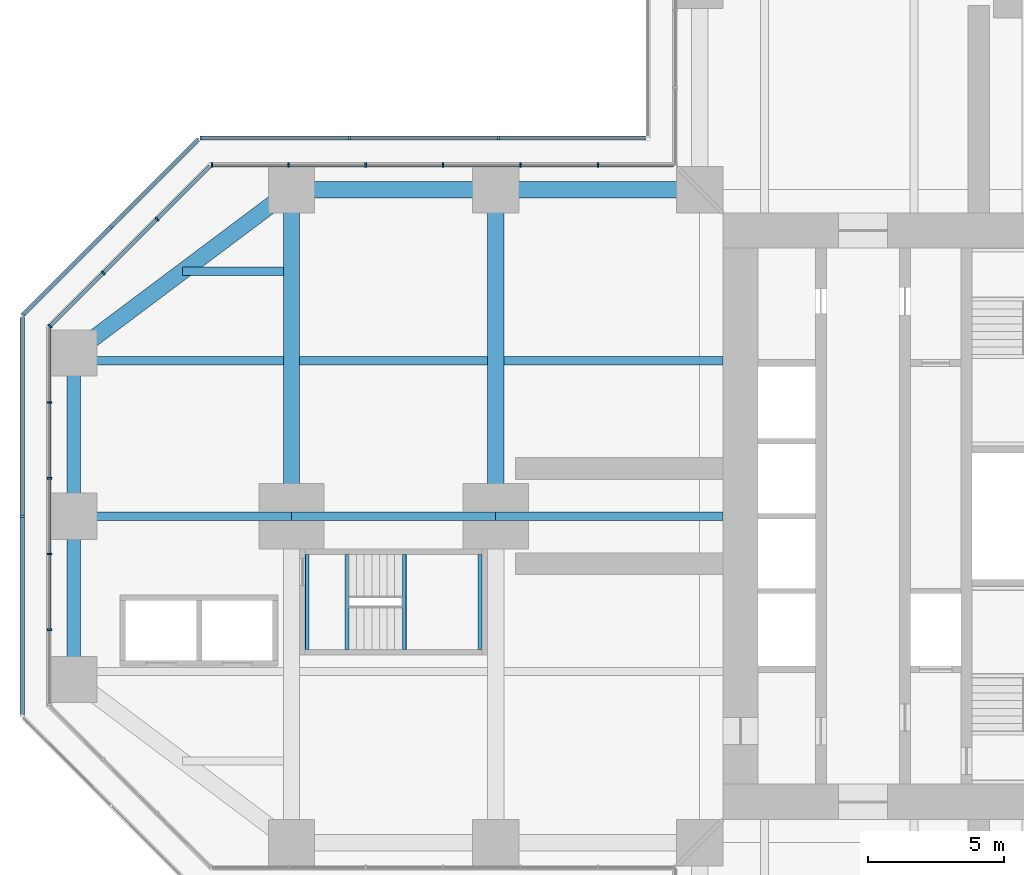
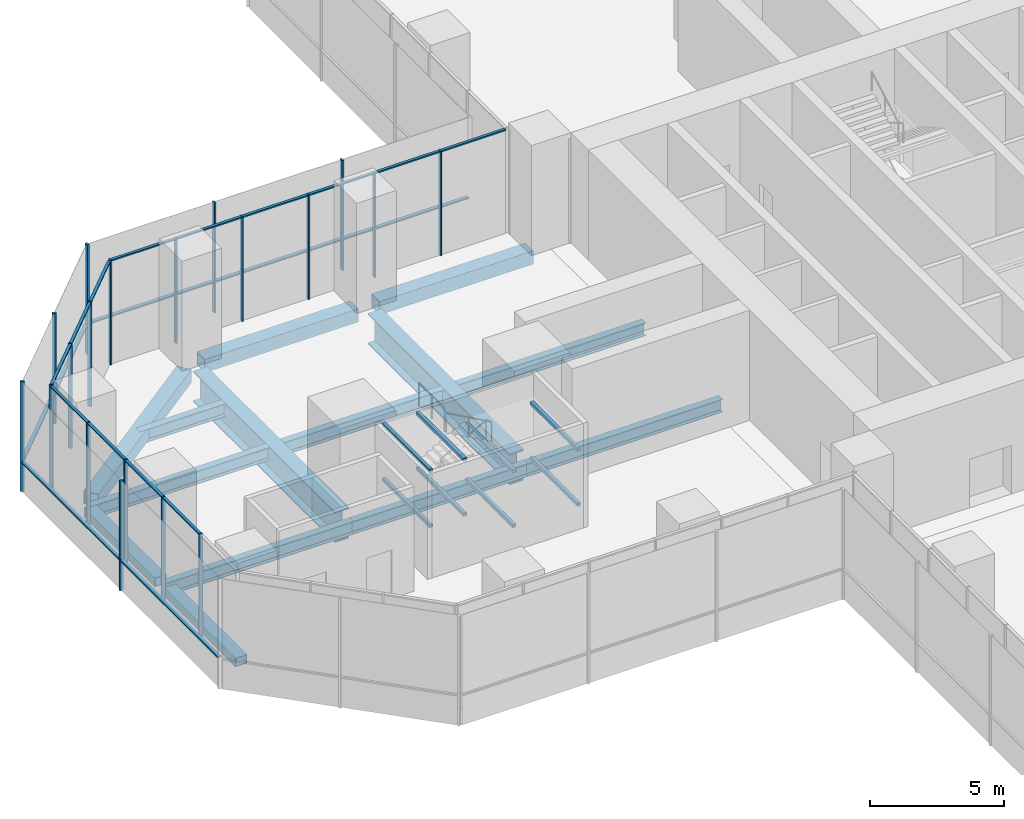
# One storey, part 7 of 23: 39 members, 22 beams, 6 elements without a shape of their own.
"""IFC4 building model written with IfcOpenShell, lengths in metres."""

from ifc_helpers import new_model, si_unit, direction, frame, origin, origin_2d, place, context, subcontext, project, spatial, rectangle, hollow_rectangle, i_section, extrude, material, material_profile, profile_set, type_object, element, aggregate, save


model = new_model("IFC4")

# Units and contexts
model_context = context("Model", 3, precision=1e-05, world=origin(), true_north=direction((0.0, 1.0)))
body_context = subcontext(model_context, "Body", "Model", "MODEL_VIEW")
ifc_project = project(units=[si_unit("LENGTHUNIT", "METRE"), si_unit("AREAUNIT", "SQUARE_METRE"), si_unit("VOLUMEUNIT", "CUBIC_METRE"), si_unit("PLANEANGLEUNIT", "RADIAN"), si_unit("MASSUNIT", "GRAM", prefix="KILO")], contexts=[model_context])

# Site, building, storey
site_placement = place(None, origin())
site = spatial("IfcSite", under=ifc_project, at=site_placement, CompositionType="ELEMENT")
building_placement = place(site_placement, origin())
building = spatial("IfcBuilding", under=site, at=building_placement, Name="Mizan Broadcast Tower", CompositionType="ELEMENT")
storey_placement = place(building_placement, frame((0.0, 0.0, 28.0)))
storey = spatial("IfcBuildingStorey", under=building, at=storey_placement, Name="L04", CompositionType="ELEMENT", Elevation=28.0)

# Beams
ifc_material_1 = material(Name="Steel S355", Category="steel")
ifc_material_profile_1 = material_profile(ifc_material_1, hollow_rectangle(XDim=0.5, YDim=0.39990234375, WallThickness=0.02490234375, at=origin_2d()), Name="BOX 400x500x25")
ifc_profile_set_1 = profile_set([ifc_material_profile_1], Name="Steel S355")
beam_type_1 = type_object("IfcBeamType", Name="EDGE BEAM BOX 400x500x25", PredefinedType="SPANDREL", material=ifc_profile_set_1)
for number, where, z_axis, x_axis, name in (
    (1, (-35.0, 5.639892578125, -0.449951171875), (0.0, -1.0, 0.0), (1.0, 0.0, 0.0), "Edge beam BOX 400x500x25 L04 west arm"),
    (2, (-35.0, -5.639892578125, -0.449951171875), (0.0, 1.0, 0.0), (-1.0, 0.0, 0.0), "Edge beam BOX 400x500x25 L04 west arm"),
):
    element("IfcBeam", number, at=place(storey_placement, frame(where, z_axis=z_axis, x_axis=x_axis)), inside=storey, type_object=beam_type_1, Name=name, PredefinedType="SPANDREL", context=body_context, shape_type="SweptSolid", body=[
        extrude(hollow_rectangle(XDim=0.5, YDim=0.39990234375, WallThickness=0.02490234375, at=origin_2d()), origin(), (0.0, 0.0, 1.0), 5.27978515625),
    ])
ifc_material_2 = material(Name="Steel S355", Category="steel")
ifc_material_profile_2 = material_profile(ifc_material_2, hollow_rectangle(XDim=0.60009765625, YDim=0.60009765625, WallThickness=0.030029296875, at=origin_2d()), Name="BOX 600x600x30")
ifc_profile_set_2 = profile_set([ifc_material_profile_2], Name="Steel S355")
beam_type_2 = type_object("IfcBeamType", Name="EDGE BEAM BOX 600x600x30", PredefinedType="SPANDREL", material=ifc_profile_set_2)
beam_1_placement = place(storey_placement, frame((-27.47998046875, 11.639892578125, -0.550048828125), z_axis=(-0.800013316712, -0.599982243973, 0.0), x_axis=(0.599982243973, -0.800013316712, 0.0)))
element("IfcBeam", 3, at=beam_1_placement, inside=storey, type_object=beam_type_2, Name="Edge beam BOX 600x600x30 L04 west arm", PredefinedType="SPANDREL", context=body_context, shape_type="SweptSolid", body=[
    extrude(hollow_rectangle(XDim=0.60009765625, YDim=0.60009765625, WallThickness=0.030029296875, at=origin_2d()), origin(), (0.0, 0.0, 1.0), 8.7998046875),
])
ifc_material_3 = material(Name="Steel S355", Category="steel")
ifc_material_profile_3 = material_profile(ifc_material_3, hollow_rectangle(XDim=0.60009765625, YDim=0.60009765625, WallThickness=0.0400390625, at=origin_2d()), Name="BOX 600x600x40")
ifc_profile_set_3 = profile_set([ifc_material_profile_3], Name="Steel S355")
beam_type_3 = type_object("IfcBeamType", Name="EDGE BEAM BOX 600x600x40", PredefinedType="SPANDREL", material=ifc_profile_set_3)
for number, where, z_axis, x_axis, name in (
    (4, (-12.449951171875, 12.0, -0.550048828125), (-1.0, 0.0, 0.0), (0.0, -1.0, 0.0), "Edge beam BOX 600x600x40 L04 west arm"),
    (5, (-19.949951171875, 12.0, -0.550048828125), (-1.0, 0.0, 0.0), (0.0, -1.0, 0.0), "Edge beam BOX 600x600x40 L04 west arm"),
):
    element("IfcBeam", number, at=place(storey_placement, frame(where, z_axis=z_axis, x_axis=x_axis)), inside=storey, type_object=beam_type_3, Name=name, PredefinedType="SPANDREL", context=body_context, shape_type="SweptSolid", body=[
        extrude(hollow_rectangle(XDim=0.60009765625, YDim=0.60009765625, WallThickness=0.0400390625, at=origin_2d()), origin(), (0.0, 0.0, 1.0), 6.60009765625),
    ])
ifc_material_4 = material(Name="Steel S460", Category="steel")
ifc_material_profile_4 = material_profile(ifc_material_4, i_section(OverallWidth=0.60009765625, OverallDepth=1.39990234375, WebThickness=0.02490234375, FlangeThickness=0.06005859375, at=origin_2d()), Name="WPG 1400x600")
ifc_profile_set_4 = profile_set([ifc_material_profile_4], Name="Steel S460")
beam_type_4 = type_object("IfcBeamType", Name="GIRDER WPG 1400x600", PredefinedType="BEAM", material=ifc_profile_set_4)
for number, where, z_axis, x_axis, name in (
    (6, (-19.5, 11.280029296875, -0.949951171875), (0.0, -1.0, 0.0), (1.0, 0.0, 0.0), "Girder WPG 1400x600 L04 west arm"),
    (7, (-27.0, 11.280029296875, -0.949951171875), (0.0, -1.0, 0.0), (1.0, 0.0, 0.0), "Girder WPG 1400x600 L04 west arm"),
):
    element("IfcBeam", number, at=place(storey_placement, frame(where, z_axis=z_axis, x_axis=x_axis)), inside=storey, type_object=beam_type_4, Name=name, PredefinedType="BEAM", context=body_context, shape_type="SweptSolid", body=[
        extrude(i_section(OverallWidth=0.60009765625, OverallDepth=1.39990234375, WebThickness=0.02490234375, FlangeThickness=0.06005859375, at=origin_2d()), origin(), (0.0, 0.0, 1.0), 10.56005859375),
    ])

# Curtain wall, members
ifc_material_5 = material(Name="Aluminium framed glazing", Category="aluminium")
curtain_wall_type_1 = type_object("IfcCurtainWallType", Name="PODIUM CURTAIN WALL", PredefinedType="USERDEFINED", material=ifc_material_5)
curtain_wall_1_placement = place(storey_placement, origin())
curtain_wall_1 = element("IfcCurtainWall", 8, at=curtain_wall_1_placement, inside=storey, type_object=curtain_wall_type_1, Name="Podium curtain wall L04 W side", ObjectType="PODIUM CURTAIN WALL", PredefinedType="USERDEFINED")
ifc_material_6 = material(Name="Aluminium, pale anodised", Category="aluminium")
ifc_material_profile_5 = material_profile(ifc_material_6, rectangle(XDim=0.159912109375, YDim=0.06005859375, at=origin_2d()), Name="MULLION 160x60")
ifc_profile_set_5 = profile_set([ifc_material_profile_5], Name="Aluminium, pale anodised")
member_type_1 = type_object("IfcMemberType", Name="INNER SKIN MULLION 60x160", PredefinedType="MULLION", material=ifc_profile_set_5)
member_1_placement = place(storey_placement, frame((-15.7431640625, 12.89990234375, 0.0), z_axis=(0.0, 0.0, 1.0), x_axis=(0.0, -1.0, 0.0)))
member_1 = element("IfcMember", 9, at=member_1_placement, type_object=member_type_1, Name="Podium curtain wall L04 W side mullion 2", PredefinedType="MULLION", context=body_context, shape_type="SweptSolid", body=[
    extrude(rectangle(XDim=0.159912109375, YDim=0.06005859375, at=origin_2d()), origin(), (0.0, 0.0, 1.0), 4.75),
])
member_2_placement = place(storey_placement, frame((-18.586181640625, 12.89990234375, 0.0), z_axis=(0.0, 0.0, 1.0), x_axis=(0.0, -1.0, 0.0)))
member_2 = element("IfcMember", 10, at=member_2_placement, type_object=member_type_1, Name="Podium curtain wall L04 W side mullion 3", PredefinedType="MULLION", context=body_context, shape_type="SweptSolid", body=[
    extrude(rectangle(XDim=0.159912109375, YDim=0.06005859375, at=origin_2d()), origin(), (0.0, 0.0, 1.0), 4.75),
])
member_3_placement = place(storey_placement, frame((-21.42919921875, 12.89990234375, 0.0), z_axis=(0.0, 0.0, 1.0), x_axis=(0.0, -1.0, 0.0)))
member_3 = element("IfcMember", 11, at=member_3_placement, type_object=member_type_1, Name="Podium curtain wall L04 W side mullion 4", PredefinedType="MULLION", context=body_context, shape_type="SweptSolid", body=[
    extrude(rectangle(XDim=0.159912109375, YDim=0.06005859375, at=origin_2d()), origin(), (0.0, 0.0, 1.0), 4.75),
])
member_4_placement = place(storey_placement, frame((-24.2724609375, 12.89990234375, 0.0), z_axis=(0.0, 0.0, 1.0), x_axis=(0.0, -1.0, 0.0)))
member_4 = element("IfcMember", 12, at=member_4_placement, type_object=member_type_1, Name="Podium curtain wall L04 W side mullion 5", PredefinedType="MULLION", context=body_context, shape_type="SweptSolid", body=[
    extrude(rectangle(XDim=0.159912109375, YDim=0.06005859375, at=origin_2d()), origin(), (0.0, 0.0, 1.0), 4.75),
])
member_5_placement = place(storey_placement, frame((-27.115478515625, 12.89990234375, 0.0), z_axis=(0.0, 0.0, 1.0), x_axis=(0.0, -1.0, 0.0)))
member_5 = element("IfcMember", 13, at=member_5_placement, type_object=member_type_1, Name="Podium curtain wall L04 W side mullion 6", PredefinedType="MULLION", context=body_context, shape_type="SweptSolid", body=[
    extrude(rectangle(XDim=0.159912109375, YDim=0.06005859375, at=origin_2d()), origin(), (0.0, 0.0, 1.0), 4.75),
])
member_6_placement = place(storey_placement, frame((-29.928466796875, 12.89990234375, 0.0), z_axis=(0.0, 0.0, 1.0), x_axis=(0.0, -1.0, 0.0)))
member_6 = element("IfcMember", 14, at=member_6_placement, type_object=member_type_1, Name="Podium curtain wall L04 W side mullion 7", PredefinedType="MULLION", context=body_context, shape_type="SweptSolid", body=[
    extrude(rectangle(XDim=0.159912109375, YDim=0.06005859375, at=origin_2d()), origin(), (0.0, 0.0, 1.0), 4.75),
])

curtain_wall_2_placement = place(storey_placement, origin())
curtain_wall_2 = element("IfcCurtainWall", 15, at=curtain_wall_2_placement, inside=storey, type_object=curtain_wall_type_1, Name="Podium curtain wall L04 W chamfer", ObjectType="PODIUM CURTAIN WALL", PredefinedType="USERDEFINED")
member_7_placement = place(storey_placement, frame((-31.93896484375, 10.91943359375, 0.0), z_axis=(0.0, 0.0, 1.0), x_axis=(0.707106781187, -0.707106781187, 0.0)))
member_7 = element("IfcMember", 16, at=member_7_placement, type_object=member_type_1, Name="Podium curtain wall L04 W chamfer mullion 2", PredefinedType="MULLION", context=body_context, shape_type="SweptSolid", body=[
    extrude(rectangle(XDim=0.159912109375, YDim=0.06005859375, at=origin_2d()), origin(), (0.0, 0.0, 1.0), 4.75),
])
member_8_placement = place(storey_placement, frame((-33.91943359375, 8.93896484375, 0.0), z_axis=(0.0, 0.0, 1.0), x_axis=(0.707106781187, -0.707106781187, 0.0)))
member_8 = element("IfcMember", 17, at=member_8_placement, type_object=member_type_1, Name="Podium curtain wall L04 W chamfer mullion 3", PredefinedType="MULLION", context=body_context, shape_type="SweptSolid", body=[
    extrude(rectangle(XDim=0.159912109375, YDim=0.06005859375, at=origin_2d()), origin(), (0.0, 0.0, 1.0), 4.75),
])
member_9_placement = place(storey_placement, frame((-35.87890625, 6.979736328125, 0.0), z_axis=(0.0, 0.0, 1.0), x_axis=(0.707106781187, -0.707106781187, 0.0)))
member_9 = element("IfcMember", 18, at=member_9_placement, type_object=member_type_1, Name="Podium curtain wall L04 W chamfer mullion 4", PredefinedType="MULLION", context=body_context, shape_type="SweptSolid", body=[
    extrude(rectangle(XDim=0.159912109375, YDim=0.06005859375, at=origin_2d()), origin(), (0.0, 0.0, 1.0), 4.75),
])

curtain_wall_3_placement = place(storey_placement, origin())
curtain_wall_3 = element("IfcCurtainWall", 19, at=curtain_wall_3_placement, inside=storey, type_object=curtain_wall_type_1, Name="Podium curtain wall L04 W end", ObjectType="PODIUM CURTAIN WALL", PredefinedType="USERDEFINED")
member_10_placement = place(storey_placement, frame((-35.89990234375, 4.175048828125, 0.0), z_axis=(0.0, 0.0, 1.0), x_axis=(1.0, 0.0, 0.0)))
member_10 = element("IfcMember", 20, at=member_10_placement, type_object=member_type_1, Name="Podium curtain wall L04 W end mullion 2", PredefinedType="MULLION", context=body_context, shape_type="SweptSolid", body=[
    extrude(rectangle(XDim=0.159912109375, YDim=0.06005859375, at=origin_2d()), origin(), (0.0, 0.0, 1.0), 4.75),
])
member_11_placement = place(storey_placement, frame((-35.89990234375, 1.3916015625, 0.0), z_axis=(0.0, 0.0, 1.0), x_axis=(1.0, 0.0, 0.0)))
member_11 = element("IfcMember", 21, at=member_11_placement, type_object=member_type_1, Name="Podium curtain wall L04 W end mullion 3", PredefinedType="MULLION", context=body_context, shape_type="SweptSolid", body=[
    extrude(rectangle(XDim=0.159912109375, YDim=0.06005859375, at=origin_2d()), origin(), (0.0, 0.0, 1.0), 4.75),
])
member_12_placement = place(storey_placement, frame((-35.89990234375, -1.3916015625, 0.0), z_axis=(0.0, 0.0, 1.0), x_axis=(1.0, 0.0, 0.0)))
member_12 = element("IfcMember", 22, at=member_12_placement, type_object=member_type_1, Name="Podium curtain wall L04 W end mullion 4", PredefinedType="MULLION", context=body_context, shape_type="SweptSolid", body=[
    extrude(rectangle(XDim=0.159912109375, YDim=0.06005859375, at=origin_2d()), origin(), (0.0, 0.0, 1.0), 4.75),
])
member_13_placement = place(storey_placement, frame((-35.89990234375, -4.175048828125, 0.0), z_axis=(0.0, 0.0, 1.0), x_axis=(1.0, 0.0, 0.0)))
member_13 = element("IfcMember", 23, at=member_13_placement, type_object=member_type_1, Name="Podium curtain wall L04 W end mullion 5", PredefinedType="MULLION", context=body_context, shape_type="SweptSolid", body=[
    extrude(rectangle(XDim=0.159912109375, YDim=0.06005859375, at=origin_2d()), origin(), (0.0, 0.0, 1.0), 4.75),
])

# Member
ifc_material_7 = material(Name="Aluminium, pale anodised", Category="aluminium")
ifc_material_profile_6 = material_profile(ifc_material_7, rectangle(XDim=0.1201171875, YDim=0.06005859375, at=origin_2d()), Name="TRANSOM 120x60")
ifc_profile_set_6 = profile_set([ifc_material_profile_6], Name="Aluminium, pale anodised")
member_type_2 = type_object("IfcMemberType", Name="INNER SKIN TRANSOM 60x120", PredefinedType="USERDEFINED", material=ifc_profile_set_6)
member_14_placement = place(storey_placement, frame((-12.9599609375, 12.89990234375, 4.719970703125), z_axis=(-1.0, 0.0, 0.0), x_axis=(0.0, -1.0, 0.0)))
member_14 = element("IfcMember", 24, at=member_14_placement, type_object=member_type_2, Name="Podium curtain wall L04 W side transom 1.1", ObjectType="TRANSOM", PredefinedType="USERDEFINED", context=body_context, shape_type="SweptSolid", body=[
    extrude(rectangle(XDim=0.1201171875, YDim=0.06005859375, at=origin_2d()), origin(), (0.0, 0.0, 1.0), 2.753173828125),
])

member_15_placement = place(storey_placement, frame((-15.773193359375, 12.89990234375, 4.719970703125), z_axis=(-1.0, 0.0, 0.0), x_axis=(0.0, -1.0, 0.0)))
member_15 = element("IfcMember", 25, at=member_15_placement, type_object=member_type_2, Name="Podium curtain wall L04 W side transom 2.1", ObjectType="TRANSOM", PredefinedType="USERDEFINED", context=body_context, shape_type="SweptSolid", body=[
    extrude(rectangle(XDim=0.1201171875, YDim=0.06005859375, at=origin_2d()), origin(), (0.0, 0.0, 1.0), 2.782958984375),
])

member_16_placement = place(storey_placement, frame((-18.6162109375, 12.89990234375, 4.719970703125), z_axis=(-1.0, 0.0, 0.0), x_axis=(0.0, -1.0, 0.0)))
member_16 = element("IfcMember", 26, at=member_16_placement, type_object=member_type_2, Name="Podium curtain wall L04 W side transom 3.1", ObjectType="TRANSOM", PredefinedType="USERDEFINED", context=body_context, shape_type="SweptSolid", body=[
    extrude(rectangle(XDim=0.1201171875, YDim=0.06005859375, at=origin_2d()), origin(), (0.0, 0.0, 1.0), 2.782958984375),
])

member_17_placement = place(storey_placement, frame((-21.459228515625, 12.89990234375, 4.719970703125), z_axis=(-1.0, 0.0, 0.0), x_axis=(0.0, -1.0, 0.0)))
member_17 = element("IfcMember", 27, at=member_17_placement, type_object=member_type_2, Name="Podium curtain wall L04 W side transom 4.1", ObjectType="TRANSOM", PredefinedType="USERDEFINED", context=body_context, shape_type="SweptSolid", body=[
    extrude(rectangle(XDim=0.1201171875, YDim=0.06005859375, at=origin_2d()), origin(), (0.0, 0.0, 1.0), 2.783203125),
])

member_18_placement = place(storey_placement, frame((-24.302490234375, 12.89990234375, 4.719970703125), z_axis=(-1.0, 0.0, 0.0), x_axis=(0.0, -1.0, 0.0)))
member_18 = element("IfcMember", 28, at=member_18_placement, type_object=member_type_2, Name="Podium curtain wall L04 W side transom 5.1", ObjectType="TRANSOM", PredefinedType="USERDEFINED", context=body_context, shape_type="SweptSolid", body=[
    extrude(rectangle(XDim=0.1201171875, YDim=0.06005859375, at=origin_2d()), origin(), (0.0, 0.0, 1.0), 2.782958984375),
])

member_19_placement = place(storey_placement, frame((-27.1455078125, 12.89990234375, 4.719970703125), z_axis=(-1.0, 0.0, 0.0), x_axis=(0.0, -1.0, 0.0)))
member_19 = element("IfcMember", 29, at=member_19_placement, type_object=member_type_2, Name="Podium curtain wall L04 W side transom 6.1", ObjectType="TRANSOM", PredefinedType="USERDEFINED", context=body_context, shape_type="SweptSolid", body=[
    extrude(rectangle(XDim=0.1201171875, YDim=0.06005859375, at=origin_2d()), origin(), (0.0, 0.0, 1.0), 2.753173828125),
])

aggregate(curtain_wall_1, [member_1, member_2, member_3, member_4, member_5, member_6, member_14, member_15, member_16, member_17, member_18, member_19])

member_20_placement = place(storey_placement, frame((-30.0009765625, 12.857666015625, 4.719970703125), z_axis=(-0.707061749709, -0.707151809797, 0.0), x_axis=(0.707151809797, -0.707061749709, 0.0)))
member_20 = element("IfcMember", 30, at=member_20_placement, type_object=member_type_2, Name="Podium curtain wall L04 W chamfer transom 1.1", ObjectType="TRANSOM", PredefinedType="USERDEFINED", context=body_context, shape_type="SweptSolid", body=[
    extrude(rectangle(XDim=0.1201171875, YDim=0.06005859375, at=origin_2d()), origin(), (0.0, 0.0, 1.0), 2.7109375),
])

member_21_placement = place(storey_placement, frame((-31.960205078125, 10.898193359375, 4.719970703125), z_axis=(-0.707106781187, -0.707106781187, 0.0), x_axis=(0.707106781187, -0.707106781187, 0.0)))
member_21 = element("IfcMember", 31, at=member_21_placement, type_object=member_type_2, Name="Podium curtain wall L04 W chamfer transom 2.1", ObjectType="TRANSOM", PredefinedType="USERDEFINED", context=body_context, shape_type="SweptSolid", body=[
    extrude(rectangle(XDim=0.1201171875, YDim=0.06005859375, at=origin_2d()), origin(), (0.0, 0.0, 1.0), 2.74072265625),
])

member_22_placement = place(storey_placement, frame((-33.940673828125, 8.917724609375, 4.719970703125), z_axis=(-0.707151809797, -0.707061749709, 0.0), x_axis=(0.707061749709, -0.707151809797, 0.0)))
member_22 = element("IfcMember", 32, at=member_22_placement, type_object=member_type_2, Name="Podium curtain wall L04 W chamfer transom 3.1", ObjectType="TRANSOM", PredefinedType="USERDEFINED", context=body_context, shape_type="SweptSolid", body=[
    extrude(rectangle(XDim=0.1201171875, YDim=0.06005859375, at=origin_2d()), origin(), (0.0, 0.0, 1.0), 2.7109375),
])

aggregate(curtain_wall_2, [member_7, member_8, member_9, member_20, member_21, member_22])

member_23_placement = place(storey_placement, frame((-35.89990234375, 6.898681640625, 4.719970703125), z_axis=(0.0, -1.0, 0.0), x_axis=(1.0, 0.0, 0.0)))
member_23 = element("IfcMember", 33, at=member_23_placement, type_object=member_type_2, Name="Podium curtain wall L04 W end transom 1.1", ObjectType="TRANSOM", PredefinedType="USERDEFINED", context=body_context, shape_type="SweptSolid", body=[
    extrude(rectangle(XDim=0.1201171875, YDim=0.06005859375, at=origin_2d()), origin(), (0.0, 0.0, 1.0), 2.693603515625),
])

member_24_placement = place(storey_placement, frame((-35.89990234375, 4.145263671875, 4.719970703125), z_axis=(0.0, -1.0, 0.0), x_axis=(1.0, 0.0, 0.0)))
member_24 = element("IfcMember", 34, at=member_24_placement, type_object=member_type_2, Name="Podium curtain wall L04 W end transom 2.1", ObjectType="TRANSOM", PredefinedType="USERDEFINED", context=body_context, shape_type="SweptSolid", body=[
    extrude(rectangle(XDim=0.1201171875, YDim=0.06005859375, at=origin_2d()), origin(), (0.0, 0.0, 1.0), 2.7236328125),
])

member_25_placement = place(storey_placement, frame((-35.89990234375, 1.36181640625, 4.719970703125), z_axis=(0.0, -1.0, 0.0), x_axis=(1.0, 0.0, 0.0)))
member_25 = element("IfcMember", 35, at=member_25_placement, type_object=member_type_2, Name="Podium curtain wall L04 W end transom 3.1", ObjectType="TRANSOM", PredefinedType="USERDEFINED", context=body_context, shape_type="SweptSolid", body=[
    extrude(rectangle(XDim=0.1201171875, YDim=0.06005859375, at=origin_2d()), origin(), (0.0, 0.0, 1.0), 2.7236328125),
])

member_26_placement = place(storey_placement, frame((-35.89990234375, -1.421630859375, 4.719970703125), z_axis=(0.0, -1.0, 0.0), x_axis=(1.0, 0.0, 0.0)))
member_26 = element("IfcMember", 36, at=member_26_placement, type_object=member_type_2, Name="Podium curtain wall L04 W end transom 4.1", ObjectType="TRANSOM", PredefinedType="USERDEFINED", context=body_context, shape_type="SweptSolid", body=[
    extrude(rectangle(XDim=0.1201171875, YDim=0.06005859375, at=origin_2d()), origin(), (0.0, 0.0, 1.0), 2.7236328125),
])

aggregate(curtain_wall_3, [member_10, member_11, member_12, member_13, member_23, member_24, member_25, member_26])

# Beams
ifc_material_8 = material(Name="Steel S355", Category="steel")
ifc_material_profile_7 = material_profile(ifc_material_8, hollow_rectangle(XDim=0.14990234375, YDim=0.14990234375, WallThickness=0.008056640625, InnerFilletRadius=0.008056640625, OuterFilletRadius=0.011962890625, at=origin_2d()), Name="SHS 150x150x8")
ifc_profile_set_7 = profile_set([ifc_material_profile_7], Name="Steel S355")
beam_type_5 = type_object("IfcBeamType", Name="LANDING TRIMMER SHS 150x150x8", PredefinedType="BEAM", material=ifc_profile_set_7)
for number, where, z_axis, x_axis, name in (
    (37, (-22.85498046875, -1.39990234375, 0.97509765625), (0.0, -1.0, 0.0), (1.0, 0.0, 0.0), "Stair D landing trimmer L04"),
    (38, (-20.074951171875, -1.39990234375, 0.97509765625), (0.0, -1.0, 0.0), (1.0, 0.0, 0.0), "Stair D landing trimmer L04"),
    (39, (-26.425048828125, -1.39990234375, 2.22509765625), (0.0, -1.0, 0.0), (1.0, 0.0, 0.0), "Stair D landing trimmer L04"),
    (40, (-24.965087890625, -1.39990234375, 2.22509765625), (0.0, -1.0, 0.0), (1.0, 0.0, 0.0), "Stair D landing trimmer L04"),
    (41, (-22.85498046875, -1.39990234375, 3.47509765625), (0.0, -1.0, 0.0), (1.0, 0.0, 0.0), "Stair D landing trimmer L04"),
    (42, (-20.074951171875, -1.39990234375, 3.47509765625), (0.0, -1.0, 0.0), (1.0, 0.0, 0.0), "Stair D landing trimmer L04"),
    (43, (-26.425048828125, -1.39990234375, 4.72509765625), (0.0, -1.0, 0.0), (1.0, 0.0, 0.0), "Stair D landing trimmer L04"),
    (44, (-24.965087890625, -1.39990234375, 4.72509765625), (0.0, -1.0, 0.0), (1.0, 0.0, 0.0), "Stair D landing trimmer L04"),
):
    element("IfcBeam", number, at=place(storey_placement, frame(where, z_axis=z_axis, x_axis=x_axis)), inside=storey, type_object=beam_type_5, Name=name, PredefinedType="BEAM", context=body_context, shape_type="SweptSolid", body=[
        extrude(hollow_rectangle(XDim=0.14990234375, YDim=0.14990234375, WallThickness=0.008056640625, InnerFilletRadius=0.008056640625, OuterFilletRadius=0.011962890625, at=origin_2d()), origin(), (0.0, 0.0, 1.0), 3.5),
    ])

# Curtain wall, members
ifc_material_9 = material(Name="Aluminium framed glazing", Category="aluminium")
curtain_wall_type_2 = type_object("IfcCurtainWallType", Name="OUTER SKIN", PredefinedType="USERDEFINED", material=ifc_material_9)
curtain_wall_4_placement = place(storey_placement, origin())
curtain_wall_4 = element("IfcCurtainWall", 45, at=curtain_wall_4_placement, inside=storey, type_object=curtain_wall_type_2, Name="Outer skin L04 W side", ObjectType="OUTER SKIN", PredefinedType="USERDEFINED")
ifc_material_10 = material(Name="Aluminium, pale anodised", Category="aluminium")
ifc_material_profile_8 = material_profile(ifc_material_10, rectangle(XDim=0.159912109375, YDim=0.080078125, at=origin_2d()), Name="MULLION 160x80")
ifc_profile_set_8 = profile_set([ifc_material_profile_8], Name="Aluminium, pale anodised")
member_type_3 = type_object("IfcMemberType", Name="OUTER SKIN MULLION 80x160", PredefinedType="MULLION", material=ifc_profile_set_8)
member_27_placement = place(storey_placement, frame((-19.390869140625, 13.89990234375, 0.0), z_axis=(0.0, 0.0, 1.0), x_axis=(0.0, -1.0, 0.0)))
member_27 = element("IfcMember", 46, at=member_27_placement, type_object=member_type_3, Name="Outer skin L04 W side mullion 2", PredefinedType="MULLION", context=body_context, shape_type="SweptSolid", body=[
    extrude(rectangle(XDim=0.159912109375, YDim=0.080078125, at=origin_2d()), origin(), (0.0, 0.0, 1.0), 5.0),
])
member_28_placement = place(storey_placement, frame((-24.8818359375, 13.89990234375, 0.0), z_axis=(0.0, 0.0, 1.0), x_axis=(0.0, -1.0, 0.0)))
member_28 = element("IfcMember", 47, at=member_28_placement, type_object=member_type_3, Name="Outer skin L04 W side mullion 3", PredefinedType="MULLION", context=body_context, shape_type="SweptSolid", body=[
    extrude(rectangle(XDim=0.159912109375, YDim=0.080078125, at=origin_2d()), origin(), (0.0, 0.0, 1.0), 5.0),
])
member_29_placement = place(storey_placement, frame((-30.332763671875, 13.89990234375, 0.0), z_axis=(0.0, 0.0, 1.0), x_axis=(0.0, -1.0, 0.0)))
member_29 = element("IfcMember", 48, at=member_29_placement, type_object=member_type_3, Name="Outer skin L04 W side mullion 4", PredefinedType="MULLION", context=body_context, shape_type="SweptSolid", body=[
    extrude(rectangle(XDim=0.159912109375, YDim=0.080078125, at=origin_2d()), origin(), (0.0, 0.0, 1.0), 5.0),
])

curtain_wall_5_placement = place(storey_placement, origin())
curtain_wall_5 = element("IfcCurtainWall", 49, at=curtain_wall_5_placement, inside=storey, type_object=curtain_wall_type_2, Name="Outer skin L04 W chamfer", ObjectType="OUTER SKIN", PredefinedType="USERDEFINED")
member_30_placement = place(storey_placement, frame((-33.636474609375, 10.636474609375, 0.0), z_axis=(0.0, 0.0, 1.0), x_axis=(0.707106781187, -0.707106781187, 0.0)))
member_30 = element("IfcMember", 50, at=member_30_placement, type_object=member_type_3, Name="Outer skin L04 W chamfer mullion 2", PredefinedType="MULLION", context=body_context, shape_type="SweptSolid", body=[
    extrude(rectangle(XDim=0.159912109375, YDim=0.080078125, at=origin_2d()), origin(), (0.0, 0.0, 1.0), 5.0),
])
member_31_placement = place(storey_placement, frame((-36.871826171875, 7.401123046875, 0.0), z_axis=(0.0, 0.0, 1.0), x_axis=(0.707106781187, -0.707106781187, 0.0)))
member_31 = element("IfcMember", 51, at=member_31_placement, type_object=member_type_3, Name="Outer skin L04 W chamfer mullion 3", PredefinedType="MULLION", context=body_context, shape_type="SweptSolid", body=[
    extrude(rectangle(XDim=0.159912109375, YDim=0.080078125, at=origin_2d()), origin(), (0.0, 0.0, 1.0), 5.0),
])

# Curtain wall, member
curtain_wall_6_placement = place(storey_placement, origin())
curtain_wall_6 = element("IfcCurtainWall", 52, at=curtain_wall_6_placement, inside=storey, type_object=curtain_wall_type_2, Name="Outer skin L04 W end", ObjectType="OUTER SKIN", PredefinedType="USERDEFINED")
member_32_placement = place(storey_placement, frame((-36.89990234375, 0.0, 0.0), z_axis=(0.0, 0.0, 1.0), x_axis=(1.0, 0.0, 0.0)))
member_32 = element("IfcMember", 53, at=member_32_placement, type_object=member_type_3, Name="Outer skin L04 W end mullion 2", PredefinedType="MULLION", context=body_context, shape_type="SweptSolid", body=[
    extrude(rectangle(XDim=0.159912109375, YDim=0.080078125, at=origin_2d()), origin(), (0.0, 0.0, 1.0), 5.0),
])

# Member
ifc_material_11 = material(Name="Aluminium, pale anodised", Category="aluminium")
ifc_material_profile_9 = material_profile(ifc_material_11, rectangle(XDim=0.159912109375, YDim=0.06005859375, at=origin_2d()), Name="TRANSOM 160x60")
ifc_profile_set_9 = profile_set([ifc_material_profile_9], Name="Aluminium, pale anodised")
member_type_4 = type_object("IfcMemberType", Name="OUTER SKIN TRANSOM 60x160", PredefinedType="USERDEFINED", material=ifc_profile_set_9)
member_33_placement = place(storey_placement, frame((-13.97998046875, 13.89990234375, 1.39990234375), z_axis=(-1.0, 0.0, 0.0), x_axis=(0.0, -1.0, 0.0)))
member_33 = element("IfcMember", 54, at=member_33_placement, type_object=member_type_4, Name="Outer skin L04 W side transom 1.1", ObjectType="TRANSOM", PredefinedType="USERDEFINED", context=body_context, shape_type="SweptSolid", body=[
    extrude(rectangle(XDim=0.159912109375, YDim=0.06005859375, at=origin_2d()), origin(), (0.0, 0.0, 1.0), 5.370849609375),
])

member_34_placement = place(storey_placement, frame((-19.430908203125, 13.89990234375, 1.39990234375), z_axis=(-1.0, 0.0, 0.0), x_axis=(0.0, -1.0, 0.0)))
member_34 = element("IfcMember", 55, at=member_34_placement, type_object=member_type_4, Name="Outer skin L04 W side transom 2.1", ObjectType="TRANSOM", PredefinedType="USERDEFINED", context=body_context, shape_type="SweptSolid", body=[
    extrude(rectangle(XDim=0.159912109375, YDim=0.06005859375, at=origin_2d()), origin(), (0.0, 0.0, 1.0), 5.410888671875),
])

member_35_placement = place(storey_placement, frame((-24.921875, 13.89990234375, 1.39990234375), z_axis=(-1.0, 0.0, 0.0), x_axis=(0.0, -1.0, 0.0)))
member_35 = element("IfcMember", 56, at=member_35_placement, type_object=member_type_4, Name="Outer skin L04 W side transom 3.1", ObjectType="TRANSOM", PredefinedType="USERDEFINED", context=body_context, shape_type="SweptSolid", body=[
    extrude(rectangle(XDim=0.159912109375, YDim=0.06005859375, at=origin_2d()), origin(), (0.0, 0.0, 1.0), 5.370849609375),
])

aggregate(curtain_wall_4, [member_27, member_28, member_29, member_33, member_34, member_35])

member_36_placement = place(storey_placement, frame((-30.429443359375, 13.843505859375, 1.39990234375), z_axis=(-0.707106781187, -0.707106781187, 0.0), x_axis=(0.707106781187, -0.707106781187, 0.0)))
member_36 = element("IfcMember", 57, at=member_36_placement, type_object=member_type_4, Name="Outer skin L04 W chamfer transom 1.1", ObjectType="TRANSOM", PredefinedType="USERDEFINED", context=body_context, shape_type="SweptSolid", body=[
    extrude(rectangle(XDim=0.159912109375, YDim=0.06005859375, at=origin_2d()), origin(), (0.0, 0.0, 1.0), 4.495361328125),
])

member_37_placement = place(storey_placement, frame((-33.664794921875, 10.608154296875, 1.39990234375), z_axis=(-0.707106781187, -0.707106781187, 0.0), x_axis=(0.707106781187, -0.707106781187, 0.0)))
member_37 = element("IfcMember", 58, at=member_37_placement, type_object=member_type_4, Name="Outer skin L04 W chamfer transom 2.1", ObjectType="TRANSOM", PredefinedType="USERDEFINED", context=body_context, shape_type="SweptSolid", body=[
    extrude(rectangle(XDim=0.159912109375, YDim=0.06005859375, at=origin_2d()), origin(), (0.0, 0.0, 1.0), 4.495361328125),
])

aggregate(curtain_wall_5, [member_30, member_31, member_36, member_37])

member_38_placement = place(storey_placement, frame((-36.89990234375, 7.292724609375, 1.39990234375), z_axis=(0.0, -1.0, 0.0), x_axis=(1.0, 0.0, 0.0)))
member_38 = element("IfcMember", 59, at=member_38_placement, type_object=member_type_4, Name="Outer skin L04 W end transom 1.1", ObjectType="TRANSOM", PredefinedType="USERDEFINED", context=body_context, shape_type="SweptSolid", body=[
    extrude(rectangle(XDim=0.159912109375, YDim=0.06005859375, at=origin_2d()), origin(), (0.0, 0.0, 1.0), 7.252685546875),
])

member_39_placement = place(storey_placement, frame((-36.89990234375, -0.0400390625, 1.39990234375), z_axis=(0.0, -1.0, 0.0), x_axis=(1.0, 0.0, 0.0)))
member_39 = element("IfcMember", 60, at=member_39_placement, type_object=member_type_4, Name="Outer skin L04 W end transom 2.1", ObjectType="TRANSOM", PredefinedType="USERDEFINED", context=body_context, shape_type="SweptSolid", body=[
    extrude(rectangle(XDim=0.159912109375, YDim=0.06005859375, at=origin_2d()), origin(), (0.0, 0.0, 1.0), 7.252685546875),
])

aggregate(curtain_wall_6, [member_32, member_38, member_39])

# Beams
ifc_material_12 = material(Name="Steel S355", Category="steel")
ifc_material_profile_10 = material_profile(ifc_material_12, i_section(OverallWidth=0.300048828125, OverallDepth=0.590087890625, WebThickness=0.012939453125, FlangeThickness=0.02490234375, FilletRadius=0.027099609375, at=origin_2d()), Name="HEA 600")
ifc_profile_set_10 = profile_set([ifc_material_profile_10], Name="Steel S355")
beam_type_6 = type_object("IfcBeamType", Name="SECONDARY BEAM HEA 600", PredefinedType="JOIST", material=ifc_profile_set_10)
beam_2_placement = place(storey_placement, frame((-11.14990234375, 5.71435546875, -0.544921875), z_axis=(-1.0, 0.0, 0.0), x_axis=(0.0, -1.0, 0.0)))
element("IfcBeam", 61, at=beam_2_placement, inside=storey, type_object=beam_type_6, Name="Secondary beam HEA 600 L04 west arm", PredefinedType="JOIST", context=body_context, shape_type="SweptSolid", body=[
    extrude(i_section(OverallWidth=0.300048828125, OverallDepth=0.590087890625, WebThickness=0.012939453125, FlangeThickness=0.02490234375, FilletRadius=0.027099609375, at=origin_2d()), origin(), (0.0, 0.0, 1.0), 8.050048828125),
])
beam_3_placement = place(storey_placement, frame((-19.800048828125, 5.71435546875, -0.544921875), z_axis=(-1.0, 0.0, 0.0), x_axis=(0.0, -1.0, 0.0)))
element("IfcBeam", 62, at=beam_3_placement, inside=storey, type_object=beam_type_6, Name="Secondary beam HEA 600 L04 west arm", PredefinedType="JOIST", context=body_context, shape_type="SweptSolid", body=[
    extrude(i_section(OverallWidth=0.300048828125, OverallDepth=0.590087890625, WebThickness=0.012939453125, FlangeThickness=0.02490234375, FilletRadius=0.027099609375, at=origin_2d()), origin(), (0.0, 0.0, 1.0), 6.89990234375),
])
beam_4_placement = place(storey_placement, frame((-27.300048828125, 5.71435546875, -0.544921875), z_axis=(-1.0, 0.0, 0.0), x_axis=(0.0, -1.0, 0.0)))
element("IfcBeam", 63, at=beam_4_placement, inside=storey, type_object=beam_type_6, Name="Secondary beam HEA 600 L04 west arm", PredefinedType="JOIST", context=body_context, shape_type="SweptSolid", body=[
    extrude(i_section(OverallWidth=0.300048828125, OverallDepth=0.590087890625, WebThickness=0.012939453125, FlangeThickness=0.02490234375, FilletRadius=0.027099609375, at=origin_2d()), origin(), (0.0, 0.0, 1.0), 7.699951171875),
])
beam_5_placement = place(storey_placement, frame((-27.300048828125, 9.0, -0.544921875), z_axis=(-1.0, 0.0, 0.0), x_axis=(0.0, -1.0, 0.0)))
element("IfcBeam", 64, at=beam_5_placement, inside=storey, type_object=beam_type_6, Name="Secondary beam HEA 600 L04 west arm", PredefinedType="JOIST", context=body_context, shape_type="SweptSolid", body=[
    extrude(i_section(OverallWidth=0.300048828125, OverallDepth=0.590087890625, WebThickness=0.012939453125, FlangeThickness=0.02490234375, FilletRadius=0.027099609375, at=origin_2d()), origin(), (0.0, 0.0, 1.0), 3.699951171875),
])
beam_6_placement = place(storey_placement, frame((-11.14990234375, 0.0, -0.544921875), z_axis=(-1.0, 0.0, 0.0), x_axis=(0.0, -1.0, 0.0)))
element("IfcBeam", 65, at=beam_6_placement, inside=storey, type_object=beam_type_6, Name="Secondary beam HEA 600 L04 west arm", PredefinedType="JOIST", context=body_context, shape_type="SweptSolid", body=[
    extrude(i_section(OverallWidth=0.300048828125, OverallDepth=0.590087890625, WebThickness=0.012939453125, FlangeThickness=0.02490234375, FilletRadius=0.027099609375, at=origin_2d()), origin(), (0.0, 0.0, 1.0), 8.35009765625),
])
beam_7_placement = place(storey_placement, frame((-19.5, 0.0, -0.544921875), z_axis=(-1.0, 0.0, 0.0), x_axis=(0.0, -1.0, 0.0)))
element("IfcBeam", 66, at=beam_7_placement, inside=storey, type_object=beam_type_6, Name="Secondary beam HEA 600 L04 west arm", PredefinedType="JOIST", context=body_context, shape_type="SweptSolid", body=[
    extrude(i_section(OverallWidth=0.300048828125, OverallDepth=0.590087890625, WebThickness=0.012939453125, FlangeThickness=0.02490234375, FilletRadius=0.027099609375, at=origin_2d()), origin(), (0.0, 0.0, 1.0), 7.5),
])
beam_8_placement = place(storey_placement, frame((-27.0, 0.0, -0.544921875), z_axis=(-1.0, 0.0, 0.0), x_axis=(0.0, -1.0, 0.0)))
element("IfcBeam", 67, at=beam_8_placement, inside=storey, type_object=beam_type_6, Name="Secondary beam HEA 600 L04 west arm", PredefinedType="JOIST", context=body_context, shape_type="SweptSolid", body=[
    extrude(i_section(OverallWidth=0.300048828125, OverallDepth=0.590087890625, WebThickness=0.012939453125, FlangeThickness=0.02490234375, FilletRadius=0.027099609375, at=origin_2d()), origin(), (0.0, 0.0, 1.0), 8.0),
])

save(model, "model.ifc")
